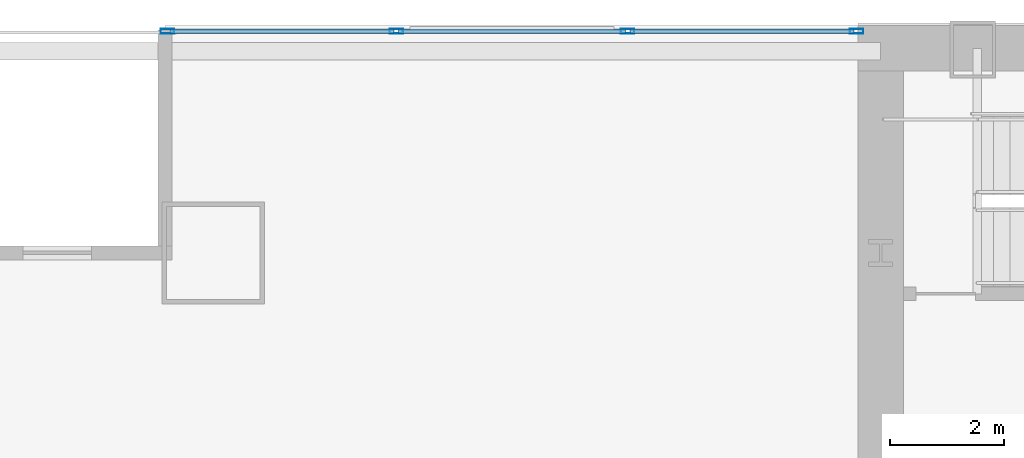
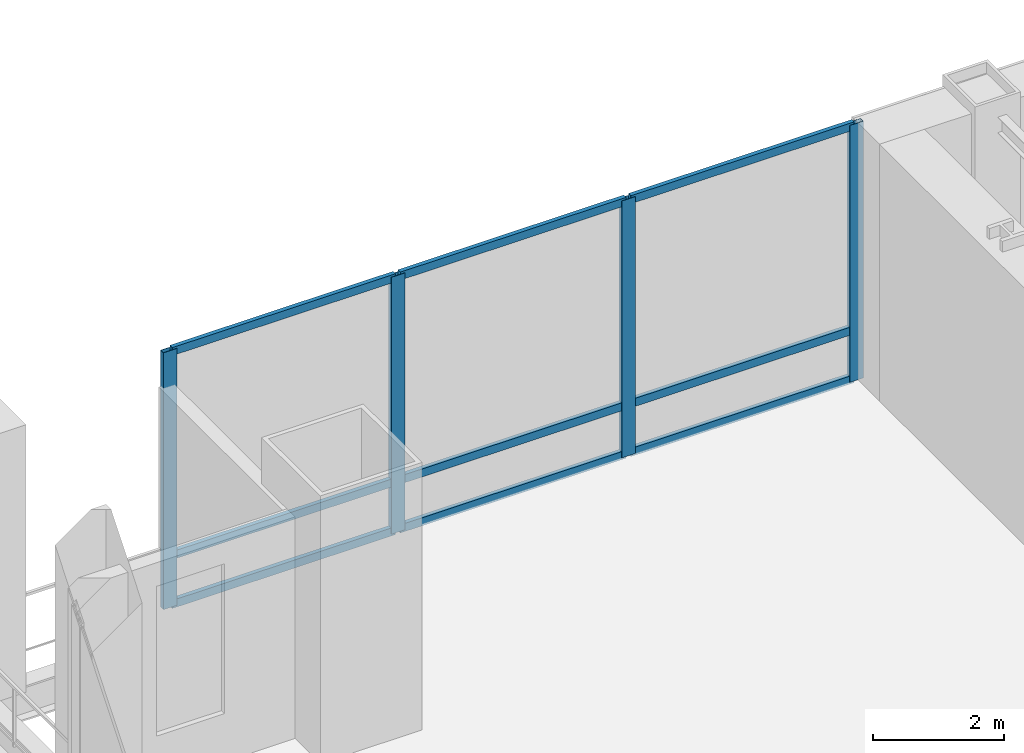
# One storey, part 12 of 26: 13 members, 1 element without a shape of its own.
"""IFC4 building model written with IfcOpenShell, lengths in metres."""

from ifc_helpers import new_model, si_unit, direction, frame, origin, origin_2d, place, context, subcontext, project, spatial, hollow_rectangle, extrude, material, material_profile, profile_set, type_object, element, aggregate, save


model = new_model("IFC4")

# Units and contexts
model_context = context("Model", 3, precision=1e-05, world=origin(), true_north=direction((0.0, 1.0)))
body_context = subcontext(model_context, "Body", "Model", "MODEL_VIEW")
ifc_project = project(units=[si_unit("LENGTHUNIT", "METRE"), si_unit("AREAUNIT", "SQUARE_METRE"), si_unit("VOLUMEUNIT", "CUBIC_METRE"), si_unit("PLANEANGLEUNIT", "RADIAN"), si_unit("MASSUNIT", "GRAM", prefix="KILO")], contexts=[model_context])

# Site, building, storey
site_placement = place(None, origin())
site = spatial("IfcSite", under=ifc_project, at=site_placement, CompositionType="ELEMENT")
building_placement = place(site_placement, origin())
building = spatial("IfcBuilding", under=site, at=building_placement, Name="Khoronbel Lancet Exchange", CompositionType="ELEMENT")
storey_placement = place(building_placement, frame((0.0, 0.0, 5.39990234375)))
storey = spatial("IfcBuildingStorey", under=building, at=storey_placement, Name="L01", CompositionType="ELEMENT", Elevation=5.39990234375)

# Curtain wall, members
ifc_material_1 = material(Name="Low-E Solar Control Insulating Glass", Category="glass")
curtain_wall_type = type_object("IfcCurtainWallType", Name="CW-5", PredefinedType="NOTDEFINED", material=ifc_material_1)
curtain_wall_placement = place(storey_placement, origin())
curtain_wall = element("IfcCurtainWall", 1, at=curtain_wall_placement, inside=storey, type_object=curtain_wall_type, Name="Unitised curtain wall CW-L01-NW", PredefinedType="NOTDEFINED")
ifc_material_2 = material(Name="Bronze-Anodised Aluminium 6063-T6", Category="aluminium")
ifc_material_profile_1 = material_profile(ifc_material_2, hollow_rectangle(XDim=0.0849609375, YDim=0.239990234375, WallThickness=0.006103515625, at=origin_2d()), Name="ALU MULLION 85x240")
ifc_profile_set_1 = profile_set([ifc_material_profile_1], Name="Bronze-Anodised Aluminium 6063-T6")
member_type_1 = type_object("IfcMemberType", Name="MEM-CWM1", PredefinedType="MULLION", material=ifc_profile_set_1)
member_1_placement = place(storey_placement, frame((4.04248046875, 53.60009765625, 0.0), z_axis=(0.0, 0.0, 1.0), x_axis=(0.0, 1.0, 0.0)))
member_1 = element("IfcMember", 2, at=member_1_placement, type_object=member_type_1, Name="CW5 mullion 1", PredefinedType="MULLION", context=body_context, shape_type="SweptSolid", body=[
    extrude(hollow_rectangle(XDim=0.0849609375, YDim=0.239990234375, WallThickness=0.006103515625, at=origin_2d()), origin(), (0.0, 0.0, 1.0), 4.800048828125),
])
member_2_placement = place(storey_placement, frame((8.0732421875, 53.60009765625, 0.0), z_axis=(0.0, 0.0, 1.0), x_axis=(0.0, 1.0, 0.0)))
member_2 = element("IfcMember", 3, at=member_2_placement, type_object=member_type_1, Name="CW5 mullion 2", PredefinedType="MULLION", context=body_context, shape_type="SweptSolid", body=[
    extrude(hollow_rectangle(XDim=0.0849609375, YDim=0.239990234375, WallThickness=0.006103515625, at=origin_2d()), origin(), (0.0, 0.0, 1.0), 4.800048828125),
])
member_3_placement = place(storey_placement, frame((12.146728515625, 53.60009765625, 0.0), z_axis=(0.0, 0.0, 1.0), x_axis=(0.0, 1.0, 0.0)))
member_3 = element("IfcMember", 4, at=member_3_placement, type_object=member_type_1, Name="CW5 mullion 3", PredefinedType="MULLION", context=body_context, shape_type="SweptSolid", body=[
    extrude(hollow_rectangle(XDim=0.0849609375, YDim=0.239990234375, WallThickness=0.006103515625, at=origin_2d()), origin(), (0.0, 0.0, 1.0), 4.800048828125),
])
member_4_placement = place(storey_placement, frame((16.177490234375, 53.60009765625, 0.0), z_axis=(0.0, 0.0, 1.0), x_axis=(0.0, 1.0, 0.0)))
member_4 = element("IfcMember", 5, at=member_4_placement, type_object=member_type_1, Name="CW5 mullion 4", PredefinedType="MULLION", context=body_context, shape_type="SweptSolid", body=[
    extrude(hollow_rectangle(XDim=0.0849609375, YDim=0.239990234375, WallThickness=0.006103515625, at=origin_2d()), origin(), (0.0, 0.0, 1.0), 4.800048828125),
])
ifc_material_profile_2 = material_profile(ifc_material_2, hollow_rectangle(XDim=0.074951171875, YDim=0.14990234375, WallThickness=0.00439453125, at=origin_2d()), Name="ALU TRANSOM 75x150")
ifc_profile_set_2 = profile_set([ifc_material_profile_2], Name="Bronze-Anodised Aluminium 6063-T6")
member_type_2 = type_object("IfcMemberType", Name="MEM-CWT2", PredefinedType="USERDEFINED", material=ifc_profile_set_2)
member_5_placement = place(storey_placement, frame((4.0849609375, 53.60009765625, 0.03759765625), z_axis=(1.0, 0.0, 0.0), x_axis=(0.0, 1.0, 0.0)))
member_5 = element("IfcMember", 6, at=member_5_placement, type_object=member_type_2, Name="CW5 transom 1.1", ObjectType="TRANSOM", PredefinedType="USERDEFINED", context=body_context, shape_type="SweptSolid", body=[
    extrude(hollow_rectangle(XDim=0.074951171875, YDim=0.14990234375, WallThickness=0.00439453125, at=origin_2d()), origin(), (0.0, 0.0, 1.0), 3.94580078125),
])
member_6_placement = place(storey_placement, frame((4.0849609375, 53.60009765625, 0.9501953125), z_axis=(1.0, 0.0, 0.0), x_axis=(0.0, 1.0, 0.0)))
member_6 = element("IfcMember", 7, at=member_6_placement, type_object=member_type_2, Name="CW5 transom 1.2", ObjectType="TRANSOM", PredefinedType="USERDEFINED", context=body_context, shape_type="SweptSolid", body=[
    extrude(hollow_rectangle(XDim=0.074951171875, YDim=0.14990234375, WallThickness=0.00439453125, at=origin_2d()), origin(), (0.0, 0.0, 1.0), 3.94580078125),
])
member_7_placement = place(storey_placement, frame((4.0849609375, 53.60009765625, 4.7626953125), z_axis=(1.0, 0.0, 0.0), x_axis=(0.0, 1.0, 0.0)))
member_7 = element("IfcMember", 8, at=member_7_placement, type_object=member_type_2, Name="CW5 transom 1.3", ObjectType="TRANSOM", PredefinedType="USERDEFINED", context=body_context, shape_type="SweptSolid", body=[
    extrude(hollow_rectangle(XDim=0.074951171875, YDim=0.14990234375, WallThickness=0.00439453125, at=origin_2d()), origin(), (0.0, 0.0, 1.0), 3.94580078125),
])
member_8_placement = place(storey_placement, frame((8.11572265625, 53.60009765625, 0.03759765625), z_axis=(1.0, 0.0, 0.0), x_axis=(0.0, 1.0, 0.0)))
member_8 = element("IfcMember", 9, at=member_8_placement, type_object=member_type_2, Name="CW5 transom 2.1", ObjectType="TRANSOM", PredefinedType="USERDEFINED", context=body_context, shape_type="SweptSolid", body=[
    extrude(hollow_rectangle(XDim=0.074951171875, YDim=0.14990234375, WallThickness=0.00439453125, at=origin_2d()), origin(), (0.0, 0.0, 1.0), 3.988525390625),
])
member_9_placement = place(storey_placement, frame((8.11572265625, 53.60009765625, 0.9501953125), z_axis=(1.0, 0.0, 0.0), x_axis=(0.0, 1.0, 0.0)))
member_9 = element("IfcMember", 10, at=member_9_placement, type_object=member_type_2, Name="CW5 transom 2.2", ObjectType="TRANSOM", PredefinedType="USERDEFINED", context=body_context, shape_type="SweptSolid", body=[
    extrude(hollow_rectangle(XDim=0.074951171875, YDim=0.14990234375, WallThickness=0.00439453125, at=origin_2d()), origin(), (0.0, 0.0, 1.0), 3.988525390625),
])
member_10_placement = place(storey_placement, frame((8.11572265625, 53.60009765625, 4.7626953125), z_axis=(1.0, 0.0, 0.0), x_axis=(0.0, 1.0, 0.0)))
member_10 = element("IfcMember", 11, at=member_10_placement, type_object=member_type_2, Name="CW5 transom 2.3", ObjectType="TRANSOM", PredefinedType="USERDEFINED", context=body_context, shape_type="SweptSolid", body=[
    extrude(hollow_rectangle(XDim=0.074951171875, YDim=0.14990234375, WallThickness=0.00439453125, at=origin_2d()), origin(), (0.0, 0.0, 1.0), 3.988525390625),
])
member_11_placement = place(storey_placement, frame((12.189208984375, 53.60009765625, 0.03759765625), z_axis=(1.0, 0.0, 0.0), x_axis=(0.0, 1.0, 0.0)))
member_11 = element("IfcMember", 12, at=member_11_placement, type_object=member_type_2, Name="CW5 transom 3.1", ObjectType="TRANSOM", PredefinedType="USERDEFINED", context=body_context, shape_type="SweptSolid", body=[
    extrude(hollow_rectangle(XDim=0.074951171875, YDim=0.14990234375, WallThickness=0.00439453125, at=origin_2d()), origin(), (0.0, 0.0, 1.0), 3.94580078125),
])
member_12_placement = place(storey_placement, frame((12.189208984375, 53.60009765625, 0.9501953125), z_axis=(1.0, 0.0, 0.0), x_axis=(0.0, 1.0, 0.0)))
member_12 = element("IfcMember", 13, at=member_12_placement, type_object=member_type_2, Name="CW5 transom 3.2", ObjectType="TRANSOM", PredefinedType="USERDEFINED", context=body_context, shape_type="SweptSolid", body=[
    extrude(hollow_rectangle(XDim=0.074951171875, YDim=0.14990234375, WallThickness=0.00439453125, at=origin_2d()), origin(), (0.0, 0.0, 1.0), 3.94580078125),
])
member_13_placement = place(storey_placement, frame((12.189208984375, 53.60009765625, 4.7626953125), z_axis=(1.0, 0.0, 0.0), x_axis=(0.0, 1.0, 0.0)))
member_13 = element("IfcMember", 14, at=member_13_placement, type_object=member_type_2, Name="CW5 transom 3.3", ObjectType="TRANSOM", PredefinedType="USERDEFINED", context=body_context, shape_type="SweptSolid", body=[
    extrude(hollow_rectangle(XDim=0.074951171875, YDim=0.14990234375, WallThickness=0.00439453125, at=origin_2d()), origin(), (0.0, 0.0, 1.0), 3.94580078125),
])
aggregate(curtain_wall, [member_1, member_2, member_3, member_4, member_5, member_6, member_7, member_8, member_9, member_10, member_11, member_12, member_13])

save(model, "model.ifc")
